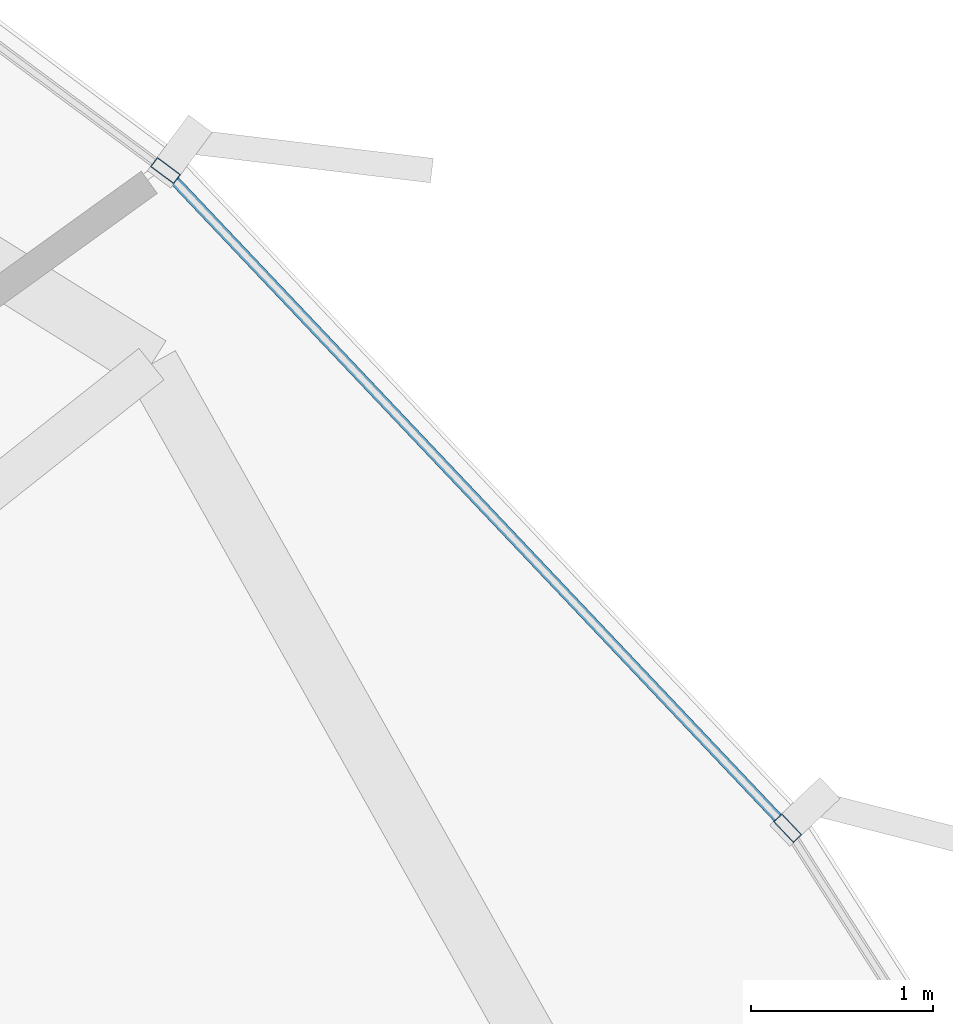
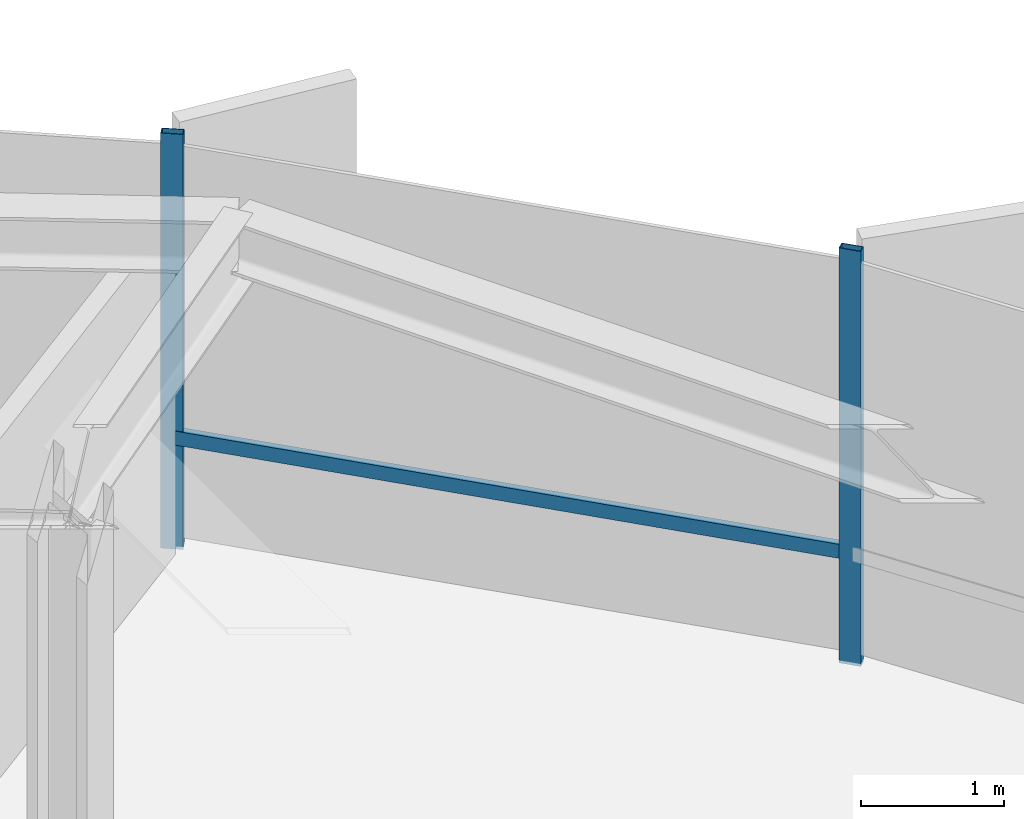
# One storey, part 29 of 42: 3 members, 1 element without a shape of its own.
"""IFC4 building model written with IfcOpenShell, lengths in metres."""

from ifc_helpers import new_model, si_unit, direction, frame, origin, origin_2d, place, context, subcontext, project, spatial, hollow_rectangle, extrude, source, transform, mapped, material, layer, layer_set, material_profile, profile_set, type_object, element, aggregate, save


model = new_model("IFC4")

# Units and contexts
model_context = context("Model", 3, precision=1e-05, world=origin(), true_north=direction((0.0, 1.0)))
body_context = subcontext(model_context, "Body", "Model", "MODEL_VIEW")
ifc_project = project(units=[si_unit("LENGTHUNIT", "METRE"), si_unit("AREAUNIT", "SQUARE_METRE"), si_unit("VOLUMEUNIT", "CUBIC_METRE"), si_unit("PLANEANGLEUNIT", "RADIAN"), si_unit("MASSUNIT", "GRAM", prefix="KILO"), si_unit("THERMODYNAMICTEMPERATUREUNIT", "KELVIN")], contexts=[model_context])

# Site, building, storey
site_placement = place(None, origin())
site = spatial("IfcSite", under=ifc_project, at=site_placement, CompositionType="ELEMENT")
building_placement = place(site_placement, origin())
building = spatial("IfcBuilding", under=site, at=building_placement, Name="Kethvar Cultural Tower", CompositionType="ELEMENT")
storey_placement = place(building_placement, frame((0.0, 0.0, 37.199951171875)))
storey = spatial("IfcBuildingStorey", under=building, at=storey_placement, Name="L08", CompositionType="ELEMENT", Elevation=37.199951171875)

# Curtain wall, members
ifc_material = material(Name="Aluminium 6063-T6", Category="aluminium")
ifc_layer = layer(ifc_material, 0.179931640625, Name="Aluminium 6063-T6", Category="aluminium")
ifc_layer_set = layer_set([ifc_layer], Name="Aluminium 6063-T6 (180 mm)")
curtain_wall_type = type_object("IfcCurtainWallType", Name="CW-SYS-02-Z1", PredefinedType="NOTDEFINED", material=ifc_layer_set)
curtain_wall_placement = place(storey_placement, origin())
curtain_wall = element("IfcCurtainWall", 1, at=curtain_wall_placement, inside=storey, type_object=curtain_wall_type, Name="L08 Curtain Wall Run 01", PredefinedType="NOTDEFINED")
ifc_material_profile_1 = material_profile(ifc_material, hollow_rectangle(XDim=0.06494140625, YDim=0.159912109375, WallThickness=0.0048828125, at=origin_2d()), Name="Aluminium 6063-T6 — RHS160x65x5")
ifc_profile_set_1 = profile_set([ifc_material_profile_1], Name="Aluminium 6063-T6 — RHS160x65x5")
member_type_1 = type_object("IfcMemberType", Name="CW-SYS-02-Z1-MUL", PredefinedType="MULLION", material=ifc_profile_set_1)
shared_shape_1 = source(origin(), body_context, "Body", "SweptSolid", [
    extrude(hollow_rectangle(XDim=0.06494140625, YDim=0.159912109375, WallThickness=0.0048828125, at=origin_2d()), origin(), (0.0, 0.0, 1.0), 3.550048828125),
])
member_1_placement = place(storey_placement, frame((74.33203125, 41.633056640625, 0.0), z_axis=(0.0, 0.0, 1.0), x_axis=(-0.726214813211, -0.687467850211, 0.0)))
member_1 = element("IfcMember", 2, at=member_1_placement, type_object=member_type_1, Name="CW-L08-R01 Mullion 4", PredefinedType="MULLION", context=body_context, shape_type="MappedRepresentation", body=[
    mapped(shared_shape_1, transform((0.0, 0.0, 0.0), scale=1.0)),
])
member_2_placement = place(storey_placement, frame((70.922119140625, 45.23779296875, 0.0), z_axis=(0.0, 0.0, 1.0), x_axis=(-0.596869225921, -0.802338536497, 0.0)))
member_2 = element("IfcMember", 3, at=member_2_placement, type_object=member_type_1, Name="CW-L08-R01 Mullion 5", PredefinedType="MULLION", context=body_context, shape_type="MappedRepresentation", body=[
    mapped(shared_shape_1, transform((0.0, 0.0, 0.0), scale=1.0)),
])
ifc_material_profile_2 = material_profile(ifc_material, hollow_rectangle(XDim=0.054931640625, YDim=0.1201171875, WallThickness=0.00390625, at=origin_2d()), Name="Aluminium 6063-T6 — RHS120x55x4")
ifc_profile_set_2 = profile_set([ifc_material_profile_2], Name="Aluminium 6063-T6 — RHS120x55x4")
member_type_2 = type_object("IfcMemberType", Name="CW-SYS-02-Z1-TRN", PredefinedType="USERDEFINED", material=ifc_profile_set_2)
shared_shape_2 = source(origin(), body_context, "Body", "SweptSolid", [
    extrude(hollow_rectangle(XDim=0.054931640625, YDim=0.1201171875, WallThickness=0.00390625, at=origin_2d()), origin(), (0.0, 0.0, 1.0), 4.88916015625),
])
member_3_placement = place(storey_placement, frame((74.2998046875, 41.6669921875, 0.949951171875), z_axis=(-0.687466196125, 0.72621637904, 0.0), x_axis=(-0.72621637904, -0.687466196125, 0.0)))
member_3 = element("IfcMember", 4, at=member_3_placement, type_object=member_type_2, Name="CW-L08-R01 Transom 4", ObjectType="TRANSOM", PredefinedType="USERDEFINED", context=body_context, shape_type="MappedRepresentation", body=[
    mapped(shared_shape_2, transform((0.0, 0.0, 0.0), scale=1.0)),
])
aggregate(curtain_wall, [member_1, member_2, member_3])

save(model, "model.ifc")
